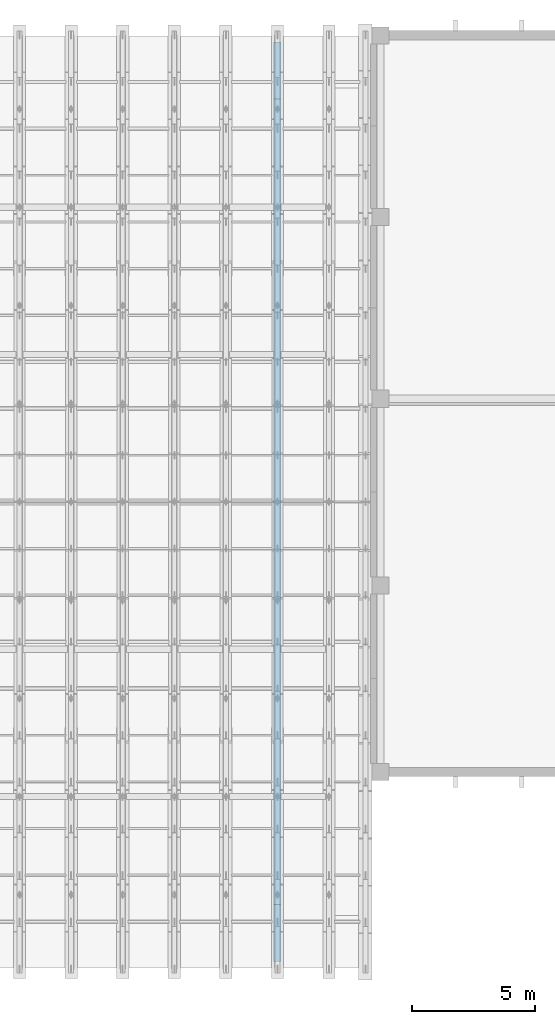
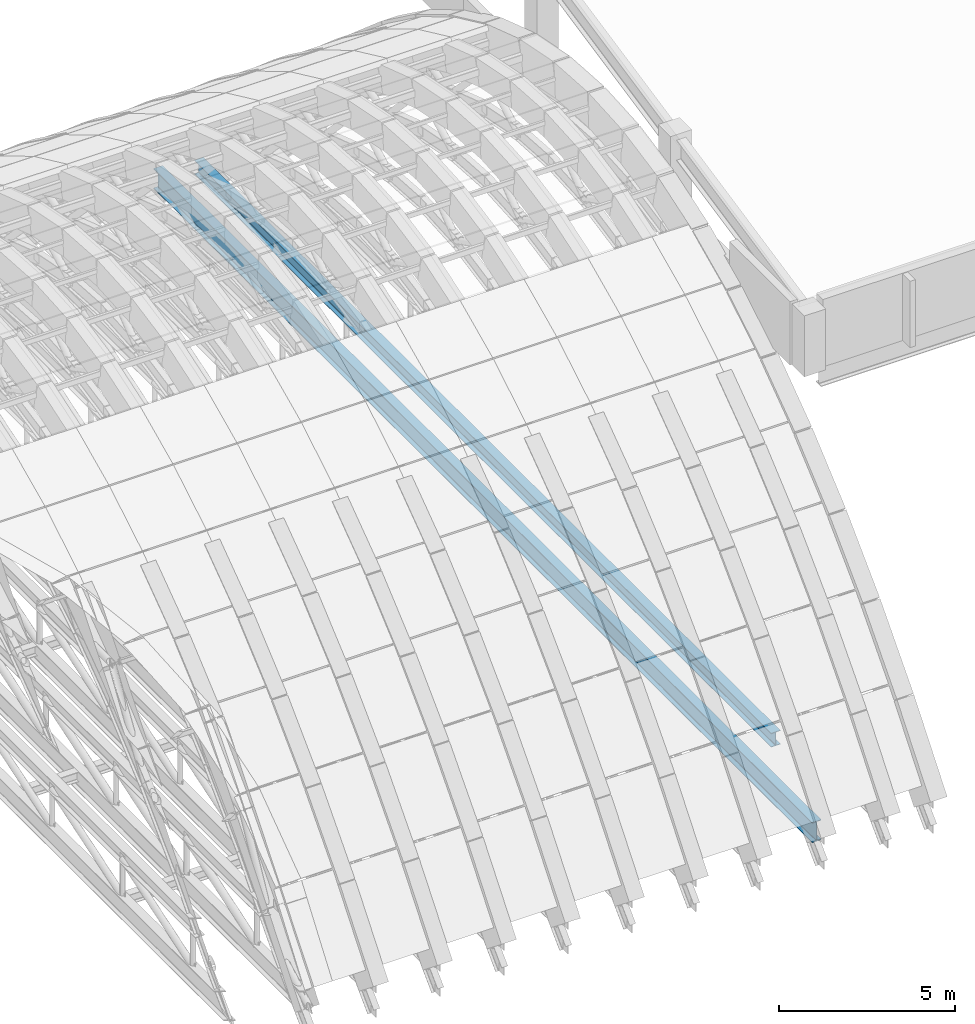
# One storey, part 39 of 67: 2 beams.
"""IFC4 building model written with IfcOpenShell, lengths in metres."""

from ifc_helpers import new_model, si_unit, direction, frame, origin, origin_2d, place, context, subcontext, project, spatial, i_section, extrude, material, material_profile, profile_set, type_object, element, save


model = new_model("IFC4")

# Units and contexts
model_context = context("Model", 3, precision=1e-05, world=origin(), true_north=direction((0.0, 1.0)))
body_context = subcontext(model_context, "Body", "Model", "MODEL_VIEW")
ifc_project = project(units=[si_unit("LENGTHUNIT", "METRE"), si_unit("AREAUNIT", "SQUARE_METRE"), si_unit("VOLUMEUNIT", "CUBIC_METRE"), si_unit("PLANEANGLEUNIT", "RADIAN"), si_unit("MASSUNIT", "GRAM", prefix="KILO")], contexts=[model_context])

# Site, building, storey
site_placement = place(None, origin())
site = spatial("IfcSite", under=ifc_project, at=site_placement, CompositionType="ELEMENT")
building_placement = place(site_placement, origin())
building = spatial("IfcBuilding", under=site, at=building_placement, Name="Shengluoqiao Park Theatre", CompositionType="ELEMENT")
storey_placement = place(building_placement, frame((0.0, 0.0, 28.60009765625)))
storey = spatial("IfcBuildingStorey", under=building, at=storey_placement, Name="Roof", CompositionType="ELEMENT", Elevation=28.60009765625)

# Beams
ifc_material_1 = material(Name="Steel Q355", Category="steel")
ifc_material_profile_1 = material_profile(ifc_material_1, i_section(OverallWidth=0.300048828125, OverallDepth=0.488037109375, WebThickness=0.010986328125, FlangeThickness=0.01806640625, FilletRadius=0.02197265625, at=origin_2d()), Name="HM 488x300x11x18")
ifc_profile_set_1 = profile_set([ifc_material_profile_1], Name="Steel Q355")
beam_type_1 = type_object("IfcBeamType", Name="STR-BM-G-HM488", PredefinedType="BEAM", material=ifc_profile_set_1)
beam_1_placement = place(storey_placement, frame((82.199951171875, 78.60009765625, -8.150146484375), z_axis=(0.0, 1.0, 0.0), x_axis=(-1.0, 0.0, 0.0)))
element("IfcBeam", 1, at=beam_1_placement, inside=storey, type_object=beam_type_1, Name="Barrel-Shell Acoustic Tie Truss Top Chord 19", PredefinedType="BEAM", context=body_context, shape_type="SweptSolid", body=[
    extrude(i_section(OverallWidth=0.300048828125, OverallDepth=0.488037109375, WebThickness=0.010986328125, FlangeThickness=0.01806640625, FilletRadius=0.02197265625, at=origin_2d()), origin(), (0.0, 0.0, 1.0), 32.7998046875),
])
ifc_material_2 = material(Name="Steel Q390", Category="steel")
ifc_material_profile_2 = material_profile(ifc_material_2, i_section(OverallWidth=0.300048828125, OverallDepth=0.699951171875, WebThickness=0.012939453125, FlangeThickness=0.02392578125, FilletRadius=0.02392578125, at=origin_2d()), Name="HN 700x300x13x24")
ifc_profile_set_2 = profile_set([ifc_material_profile_2], Name="Steel Q390")
beam_type_2 = type_object("IfcBeamType", Name="STR-BM-G-HN700", PredefinedType="BEAM", material=ifc_profile_set_2)
beam_2_placement = place(storey_placement, frame((82.199951171875, 76.280029296875, -9.9501953125), z_axis=(0.0, 1.0, 0.0), x_axis=(-1.0, 0.0, 0.0)))
element("IfcBeam", 2, at=beam_2_placement, inside=storey, type_object=beam_type_2, Name="Barrel-Shell Acoustic Tie Truss Bottom Chord 19", PredefinedType="BEAM", context=body_context, shape_type="SweptSolid", body=[
    extrude(i_section(OverallWidth=0.300048828125, OverallDepth=0.699951171875, WebThickness=0.012939453125, FlangeThickness=0.02392578125, FilletRadius=0.02392578125, at=origin_2d()), origin(), (0.0, 0.0, 1.0), 37.43994140625),
])

save(model, "model.ifc")
